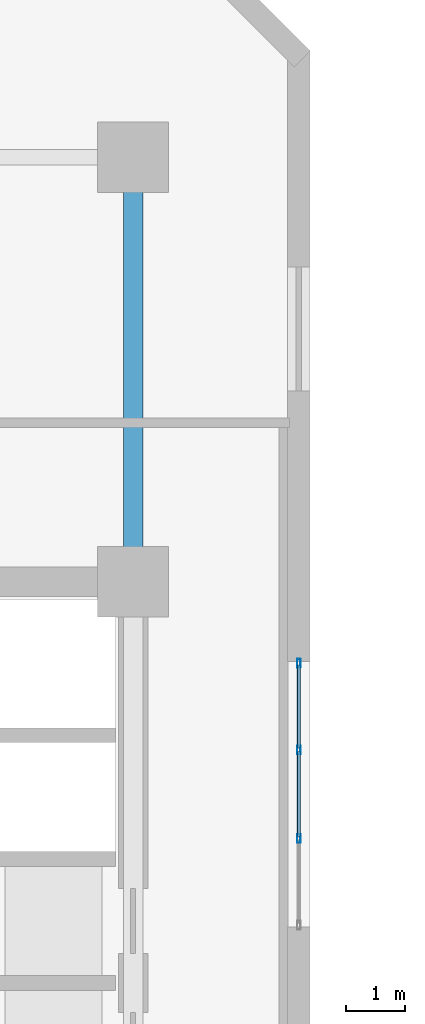
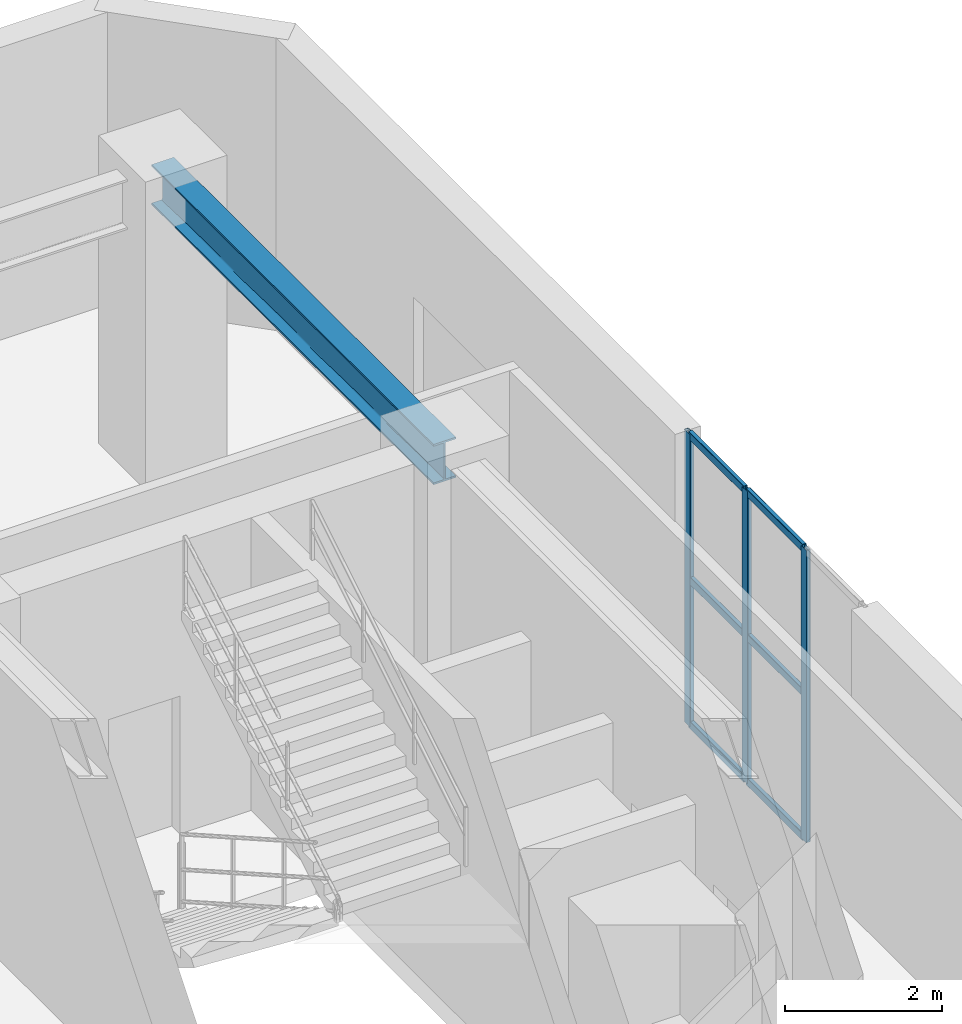
# One storey, part 9 of 18: 9 members, 1 beam, 1 element without a shape of its own.
"""IFC4 building model written with IfcOpenShell, lengths in metres."""

from ifc_helpers import new_model, entity, si_unit, converted_unit, direction, frame, origin_with_axes, origin_2d_with_axis, place, context, subcontext, project, spatial, hollow_rectangle, i_section, extrude, material, material_profile, profile_set, type_object, element, aggregate, save


model = new_model("IFC4")

# Units and contexts
model_context = context("Model", 3, precision=1e-05, world=origin_with_axes(), true_north=direction((0.0, 1.0)))
body_context = subcontext(model_context, "Body", "Model", "MODEL_VIEW")
ifc_project = project(units=[si_unit("LENGTHUNIT", "METRE"), si_unit("AREAUNIT", "SQUARE_METRE"), si_unit("VOLUMEUNIT", "CUBIC_METRE"), converted_unit("PLANEANGLEUNIT", "DEGREE", entity("IfcPlaneAngleMeasure", 0.017453292519943295), si_unit("PLANEANGLEUNIT", "RADIAN"), dimensions=[0, 0, 0, 0, 0, 0, 0]), si_unit("MASSUNIT", "GRAM", prefix="KILO"), si_unit("THERMODYNAMICTEMPERATUREUNIT", "KELVIN")], contexts=[model_context])

# Site, building, storey
site_placement = place(None, origin_with_axes())
site = spatial("IfcSite", under=ifc_project, at=site_placement, CompositionType="ELEMENT")
building_placement = place(site_placement, origin_with_axes())
building = spatial("IfcBuilding", under=site, at=building_placement, Name="Varnlund Millrace Tower", CompositionType="ELEMENT")
storey_placement = place(building_placement, frame((0.0, 0.0, 124.2), z_axis=(0.0, 0.0, 1.0), x_axis=(1.0, 0.0, 0.0)))
storey = spatial("IfcBuildingStorey", under=building, at=storey_placement, Name="L30", CompositionType="ELEMENT", Elevation=124.2)

# Curtain wall, members
ifc_material_1 = material(Name="Thermally broken architectural bronze curtain wall", Category="aluminium")
curtain_wall_type = type_object("IfcCurtainWallType", Name="Type-CW-Sys5-SkyLobby2Pool", PredefinedType="NOTDEFINED", material=ifc_material_1)
curtain_wall_placement = place(storey_placement, frame((21.41, 36.45, 0.0), z_axis=(0.0, 0.0, 1.0), x_axis=(1.0, 0.0, 0.0)))
curtain_wall = element("IfcCurtainWall", 1, at=curtain_wall_placement, inside=storey, type_object=curtain_wall_type, Name="Type-CW-Sys5-SkyLobby2Pool", PredefinedType="NOTDEFINED")
ifc_material_2 = material(Name="Architectural bronze aluminium alloy 6063-T6", Category="aluminium")
ifc_material_profile_1 = material_profile(ifc_material_2, hollow_rectangle(XDim=0.06, YDim=0.15, WallThickness=0.004, InnerFilletRadius=0.004, OuterFilletRadius=0.008, at=origin_2d_with_axis()), Name="Architectural bronze aluminium alloy 6063-T6")
ifc_profile_set_1 = profile_set([ifc_material_profile_1], Name="Architectural bronze aluminium alloy 6063-T6")
member_type_1 = type_object("IfcMemberType", Name="Type-CW-Mullion-60X150", PredefinedType="MULLION", material=ifc_profile_set_1)
member_1_placement = place(storey_placement, frame((21.41, 36.42, 0.0), z_axis=(0.0, 0.0, 1.0), x_axis=(1.0, 0.0, 0.0)))
member_1 = element("IfcMember", 2, at=member_1_placement, type_object=member_type_1, Name="CW-05 mullion 1", PredefinedType="MULLION", context=body_context, shape_type="SweptSolid", body=[
    extrude(hollow_rectangle(XDim=0.06, YDim=0.15, WallThickness=0.004, InnerFilletRadius=0.004, OuterFilletRadius=0.008, at=origin_2d_with_axis()), origin_with_axes(), (0.0, 0.0, 1.0), 4.56),
])
member_2_placement = place(storey_placement, frame((21.41, 34.95, 0.0), z_axis=(0.0, 0.0, 1.0), x_axis=(1.0, 0.0, 0.0)))
member_2 = element("IfcMember", 3, at=member_2_placement, type_object=member_type_1, Name="CW-05 mullion 2", PredefinedType="MULLION", context=body_context, shape_type="SweptSolid", body=[
    extrude(hollow_rectangle(XDim=0.06, YDim=0.15, WallThickness=0.004, InnerFilletRadius=0.004, OuterFilletRadius=0.008, at=origin_2d_with_axis()), origin_with_axes(), (0.0, 0.0, 1.0), 4.56),
])
member_3_placement = place(storey_placement, frame((21.41, 33.45, 0.0), z_axis=(0.0, 0.0, 1.0), x_axis=(1.0, 0.0, 0.0)))
member_3 = element("IfcMember", 4, at=member_3_placement, type_object=member_type_1, Name="CW-05 mullion 3", PredefinedType="MULLION", context=body_context, shape_type="SweptSolid", body=[
    extrude(hollow_rectangle(XDim=0.06, YDim=0.15, WallThickness=0.004, InnerFilletRadius=0.004, OuterFilletRadius=0.008, at=origin_2d_with_axis()), origin_with_axes(), (0.0, 0.0, 1.0), 4.56),
])
ifc_material_profile_2 = material_profile(ifc_material_2, hollow_rectangle(XDim=0.06, YDim=0.12, WallThickness=0.004, InnerFilletRadius=0.004, OuterFilletRadius=0.008, at=origin_2d_with_axis()), Name="Architectural bronze aluminium alloy 6063-T6")
ifc_profile_set_2 = profile_set([ifc_material_profile_2], Name="Architectural bronze aluminium alloy 6063-T6")
member_type_2 = type_object("IfcMemberType", Name="Type-CW-Transom-60X120", PredefinedType="USERDEFINED", material=ifc_profile_set_2)
member_4_placement = place(storey_placement, frame((21.41, 36.39, 0.03), z_axis=(0.0, -1.0, 0.0), x_axis=(1.0, 0.0, 0.0)))
member_4 = element("IfcMember", 5, at=member_4_placement, type_object=member_type_2, Name="CW-05 transom 1.1", ObjectType="TRANSOM", PredefinedType="USERDEFINED", context=body_context, shape_type="SweptSolid", body=[
    extrude(hollow_rectangle(XDim=0.06, YDim=0.12, WallThickness=0.004, InnerFilletRadius=0.004, OuterFilletRadius=0.008, at=origin_2d_with_axis()), origin_with_axes(), (0.0, 0.0, 1.0), 1.41),
])
member_5_placement = place(storey_placement, frame((21.41, 36.39, 2.28), z_axis=(0.0, -1.0, 0.0), x_axis=(1.0, 0.0, 0.0)))
member_5 = element("IfcMember", 6, at=member_5_placement, type_object=member_type_2, Name="CW-05 transom 1.2", ObjectType="TRANSOM", PredefinedType="USERDEFINED", context=body_context, shape_type="SweptSolid", body=[
    extrude(hollow_rectangle(XDim=0.06, YDim=0.12, WallThickness=0.004, InnerFilletRadius=0.004, OuterFilletRadius=0.008, at=origin_2d_with_axis()), origin_with_axes(), (0.0, 0.0, 1.0), 1.41),
])
member_6_placement = place(storey_placement, frame((21.41, 36.39, 4.53), z_axis=(0.0, -1.0, 0.0), x_axis=(1.0, 0.0, 0.0)))
member_6 = element("IfcMember", 7, at=member_6_placement, type_object=member_type_2, Name="CW-05 transom 1.3", ObjectType="TRANSOM", PredefinedType="USERDEFINED", context=body_context, shape_type="SweptSolid", body=[
    extrude(hollow_rectangle(XDim=0.06, YDim=0.12, WallThickness=0.004, InnerFilletRadius=0.004, OuterFilletRadius=0.008, at=origin_2d_with_axis()), origin_with_axes(), (0.0, 0.0, 1.0), 1.41),
])
member_7_placement = place(storey_placement, frame((21.41, 34.92, 0.03), z_axis=(0.0, -1.0, 0.0), x_axis=(1.0, 0.0, 0.0)))
member_7 = element("IfcMember", 8, at=member_7_placement, type_object=member_type_2, Name="CW-05 transom 2.1", ObjectType="TRANSOM", PredefinedType="USERDEFINED", context=body_context, shape_type="SweptSolid", body=[
    extrude(hollow_rectangle(XDim=0.06, YDim=0.12, WallThickness=0.004, InnerFilletRadius=0.004, OuterFilletRadius=0.008, at=origin_2d_with_axis()), origin_with_axes(), (0.0, 0.0, 1.0), 1.44),
])
member_8_placement = place(storey_placement, frame((21.41, 34.92, 2.28), z_axis=(0.0, -1.0, 0.0), x_axis=(1.0, 0.0, 0.0)))
member_8 = element("IfcMember", 9, at=member_8_placement, type_object=member_type_2, Name="CW-05 transom 2.2", ObjectType="TRANSOM", PredefinedType="USERDEFINED", context=body_context, shape_type="SweptSolid", body=[
    extrude(hollow_rectangle(XDim=0.06, YDim=0.12, WallThickness=0.004, InnerFilletRadius=0.004, OuterFilletRadius=0.008, at=origin_2d_with_axis()), origin_with_axes(), (0.0, 0.0, 1.0), 1.44),
])
member_9_placement = place(storey_placement, frame((21.41, 34.92, 4.53), z_axis=(0.0, -1.0, 0.0), x_axis=(1.0, 0.0, 0.0)))
member_9 = element("IfcMember", 10, at=member_9_placement, type_object=member_type_2, Name="CW-05 transom 2.3", ObjectType="TRANSOM", PredefinedType="USERDEFINED", context=body_context, shape_type="SweptSolid", body=[
    extrude(hollow_rectangle(XDim=0.06, YDim=0.12, WallThickness=0.004, InnerFilletRadius=0.004, OuterFilletRadius=0.008, at=origin_2d_with_axis()), origin_with_axes(), (0.0, 0.0, 1.0), 1.44),
])
aggregate(curtain_wall, [member_1, member_2, member_3, member_4, member_5, member_6, member_7, member_8, member_9])

# Beam
ifc_material_3 = material(Name="Steel ASTM A992 Grade 50", Category="steel")
ifc_material_profile_3 = material_profile(ifc_material_3, i_section(OverallWidth=0.328, OverallDepth=0.628, WebThickness=0.0165, FlangeThickness=0.0277, FilletRadius=0.018, at=origin_2d_with_axis()), Name="Steel ASTM A992 Grade 50")
ifc_profile_set_3 = profile_set([ifc_material_profile_3], Name="Steel ASTM A992 Grade 50")
beam_type = type_object("IfcBeamType", Name="Type-Girder-W24X146", PredefinedType="USERDEFINED", material=ifc_profile_set_3)
beam_placement = place(storey_placement, frame((18.6, 37.8, 4.246), z_axis=(0.0, 1.0, 0.0), x_axis=(-1.0, 0.0, 0.0)))
element("IfcBeam", 11, at=beam_placement, inside=storey, type_object=beam_type, Name="Type-Girder-W24X146", ObjectType="GIRDER", PredefinedType="USERDEFINED", context=body_context, shape_type="SweptSolid", body=[
    extrude(i_section(OverallWidth=0.328, OverallDepth=0.628, WebThickness=0.0165, FlangeThickness=0.0277, FilletRadius=0.018, at=origin_2d_with_axis()), origin_with_axes(), (0.0, 0.0, 1.0), 7.2),
])

save(model, "model.ifc")
